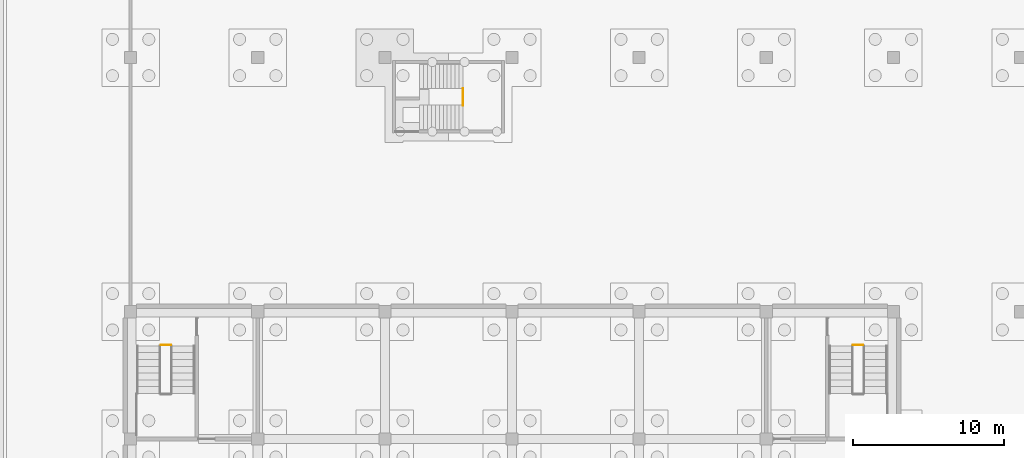
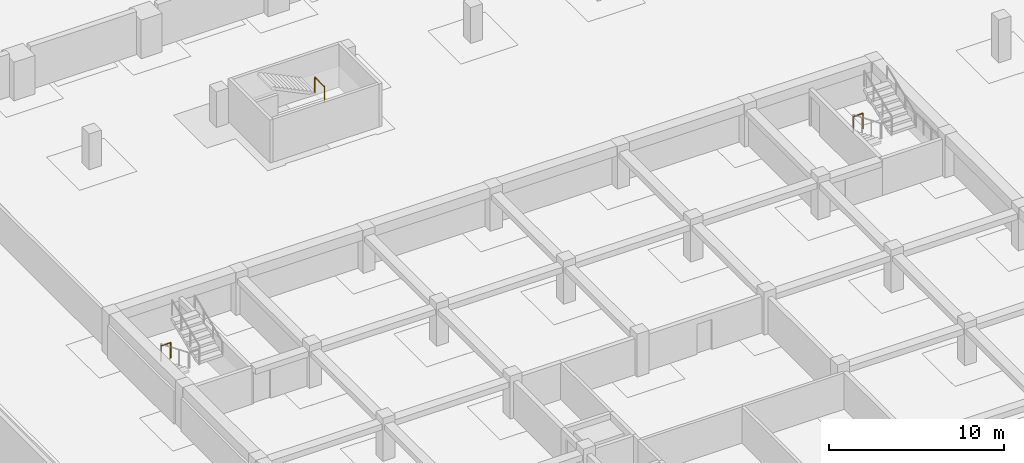
# One storey, part 55 of 67: 3 railings.
"""IFC4 building model written with IfcOpenShell, lengths in metres."""

from ifc_helpers import new_model, si_unit, direction, frame, origin, origin_2d, place, context, subcontext, project, spatial, circle, extrude, material, type_object, element, save


model = new_model("IFC4")

# Units and contexts
model_context = context("Model", 3, precision=1e-05, world=origin(), true_north=direction((0.0, 1.0)))
body_context = subcontext(model_context, "Body", "Model", "MODEL_VIEW")
ifc_project = project(units=[si_unit("LENGTHUNIT", "METRE"), si_unit("AREAUNIT", "SQUARE_METRE"), si_unit("VOLUMEUNIT", "CUBIC_METRE"), si_unit("PLANEANGLEUNIT", "RADIAN"), si_unit("MASSUNIT", "GRAM", prefix="KILO")], contexts=[model_context])

# Site, building, storey
site_placement = place(None, origin())
site = spatial("IfcSite", under=ifc_project, at=site_placement, CompositionType="ELEMENT")
building_placement = place(site_placement, origin())
building = spatial("IfcBuilding", under=site, at=building_placement, Name="Rain Tree Exposition and Congress Centre", CompositionType="ELEMENT")
storey_placement = place(building_placement, frame((0.0, 0.0, -3.0)))
storey = spatial("IfcBuildingStorey", under=building, at=storey_placement, Name="B1", CompositionType="ELEMENT", Elevation=-3.0)

# Railings
ifc_material_1 = material(Name="Stainless steel", Category="steel")
railing_type_1 = type_object("IfcRailingType", Name="Guard 1100 stainless", PredefinedType="GUARDRAIL", material=ifc_material_1)
railing_placement = place(storey_placement, frame((21.9599609375, 64.050048828125, 1.5)))
element("IfcRailing", 1, at=railing_placement, inside=storey, type_object=railing_type_1, Name="Exit stair E5 well guard", PredefinedType="GUARDRAIL", context=body_context, shape_type="SweptSolid", body=[
    extrude(circle(Radius=0.02490234375, at=origin_2d()), frame((0.0, 0.0, 1.0751953125), z_axis=(0.0, 1.0, 0.0), x_axis=(-1.0, 0.0, 0.0)), (0.0, 0.0, 1.0), 1.099853515625),
    extrude(circle(Radius=0.02490234375, at=origin_2d()), origin(), (0.0, 0.0, 1.0), 1.050048828125),
    extrude(circle(Radius=0.02490234375, at=origin_2d()), frame((0.0, 1.099853515625, 0.0)), (0.0, 0.0, 1.0), 1.050048828125),
])
ifc_material_2 = material(Name="Steel S355J2H", Category="steel")
railing_type_2 = type_object("IfcRailingType", Name="Wing stair guard 1100", PredefinedType="GUARDRAIL", material=ifc_material_2)
for number, where, name in (
    (2, (2.0, 48.199951171875, 0.0), "B1 ST-W3 stair guard 4"),
    (3, (47.75, 48.199951171875, 0.0), "B1 ST-W4 stair guard 4"),
):
    element("IfcRailing", number, at=place(storey_placement, frame(where)), inside=storey, type_object=railing_type_2, Name=name, PredefinedType="GUARDRAIL", context=body_context, shape_type="SweptSolid", body=[
        extrude(circle(Radius=0.02392578125, at=origin_2d()), frame((0.0, 0.0, 1.076171875), z_axis=(1.0, 0.0, 0.0), x_axis=(0.0, 1.0, 0.0)), (0.0, 0.0, 1.0), 0.64990234375),
        extrude(circle(Radius=0.02099609375, at=origin_2d()), origin(), (0.0, 0.0, 1.0), 1.052001953125),
        extrude(circle(Radius=0.02099609375, at=origin_2d()), frame((0.64990234375, 0.0, 0.0)), (0.0, 0.0, 1.0), 1.052001953125),
    ])

save(model, "model.ifc")
